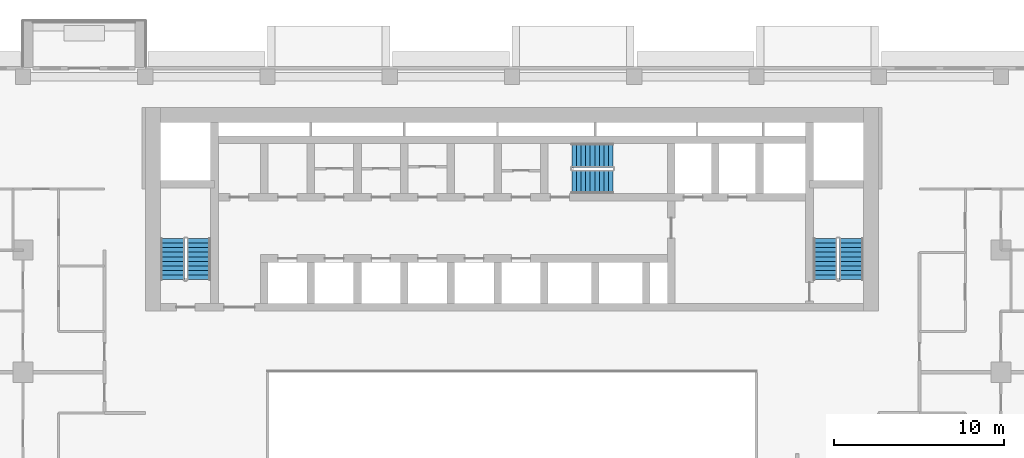
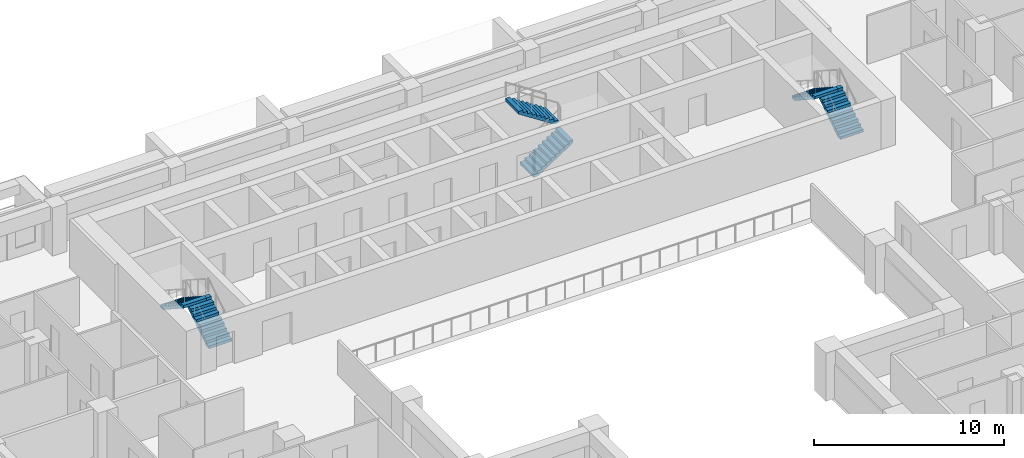
# One storey, part 13 of 17: 6 stair flights, 3 elements without a shape of their own.
"""IFC4 building model written with IfcOpenShell, lengths in metres."""

from ifc_helpers import new_model, si_unit, direction, frame, origin, place, context, subcontext, project, spatial, polyline, outline, extrude, material, layer, layer_set, type_object, element, aggregate, save


model = new_model("IFC4")

# Units and contexts
model_context = context("Model", 3, precision=1e-05, world=origin(), true_north=direction((0.0, 1.0)))
body_context = subcontext(model_context, "Body", "Model", "MODEL_VIEW")
ifc_project = project(units=[si_unit("LENGTHUNIT", "METRE"), si_unit("AREAUNIT", "SQUARE_METRE"), si_unit("VOLUMEUNIT", "CUBIC_METRE"), si_unit("PLANEANGLEUNIT", "RADIAN"), si_unit("MASSUNIT", "GRAM", prefix="KILO")], contexts=[model_context])

# Site, building, storey
site_placement = place(None, origin())
site = spatial("IfcSite", under=ifc_project, at=site_placement, CompositionType="ELEMENT")
building_placement = place(site_placement, origin())
building = spatial("IfcBuilding", under=site, at=building_placement, Name="Saffron Iwan Residences", CompositionType="ELEMENT")
storey_placement = place(building_placement, frame((0.0, 0.0, 104.0)))
storey = spatial("IfcBuildingStorey", under=building, at=storey_placement, Name="L27", CompositionType="ELEMENT", Elevation=104.0)

# Stair, stair flights
ifc_material = material(Name="Concrete C50/60", Category="concrete")
stair_type = type_object("IfcStairType", Name="Stair ST-CORE", PredefinedType="HALF_TURN_STAIR", material=ifc_material)
stair_1_placement = place(storey_placement, origin())
stair_1 = element("IfcStair", 1, at=stair_1_placement, inside=storey, type_object=stair_type, Name="L27 Exit Stair ST-W", PredefinedType="HALF_TURN_STAIR")
ifc_layer = layer(ifc_material, 0.14990234375)
ifc_layer_set = layer_set([ifc_layer], Name="Concrete C50/60")
stair_flight_type = type_object("IfcStairFlightType", Name="Stair flight SFL-RC", PredefinedType="STRAIGHT", material=ifc_layer_set)
stair_flight_1_placement = place(storey_placement, frame((31.949951171875, 67.85009765625, 0.0), z_axis=(0.0, 0.0, 1.0), x_axis=(0.0, 1.0, 0.0)))
stair_flight_1 = element("IfcStairFlight", 2, at=stair_flight_1_placement, type_object=stair_flight_type, Name="ST-W flight 1", NumberOfRisers=10, NumberOfTreads=9, PredefinedType="STRAIGHT", RiserHeight=0.175, TreadLength=0.27, context=body_context, shape_type="SweptSolid", body=[
    extrude(outline(polyline([(0.0, 0.0), (0.0, 0.175048828125), (0.27001953125, 0.175048828125), (0.27001953125, 0.35009765625), (0.5400390625, 0.35009765625), (0.5400390625, 0.52490234375), (0.81005859375, 0.52490234375), (0.81005859375, 0.699951171875), (1.080078125, 0.699951171875), (1.080078125, 0.875), (1.35009765625, 0.875), (1.35009765625, 1.050048828125), (1.6201171875, 1.050048828125), (1.6201171875, 1.22509765625), (1.889892578125, 1.22509765625), (1.889892578125, 1.39990234375), (2.159912109375, 1.39990234375), (2.159912109375, 1.574951171875), (2.429931640625, 1.574951171875), (2.429931640625, 1.75), (2.429931640625, 1.396484375), (0.275634765625, 0.0), (0.0, 0.0)])), frame((0.0, 0.699951171875, 0.0), z_axis=(0.0, -1.0, 0.0), x_axis=(1.0, 0.0, 0.0)), (0.0, 0.0, 1.0), 1.39990234375),
])
stair_flight_2_placement = place(storey_placement, frame((30.39990234375, 70.280029296875, 1.75), z_axis=(0.0, 0.0, 1.0), x_axis=(0.0, -1.0, 0.0)))
stair_flight_2 = element("IfcStairFlight", 3, at=stair_flight_2_placement, type_object=stair_flight_type, Name="ST-W flight 2", NumberOfRisers=10, NumberOfTreads=9, PredefinedType="STRAIGHT", RiserHeight=0.175, TreadLength=0.27, context=body_context, shape_type="SweptSolid", body=[
    extrude(outline(polyline([(0.0, 0.0), (0.0, 0.175048828125), (0.27001953125, 0.175048828125), (0.27001953125, 0.35009765625), (0.5400390625, 0.35009765625), (0.5400390625, 0.52490234375), (0.81005859375, 0.52490234375), (0.81005859375, 0.699951171875), (1.080078125, 0.699951171875), (1.080078125, 0.875), (1.35009765625, 0.875), (1.35009765625, 1.050048828125), (1.6201171875, 1.050048828125), (1.6201171875, 1.22509765625), (1.889892578125, 1.22509765625), (1.889892578125, 1.39990234375), (2.159912109375, 1.39990234375), (2.159912109375, 1.574951171875), (2.429931640625, 1.574951171875), (2.429931640625, 1.75), (2.429931640625, 1.396484375), (0.275634765625, 0.0), (0.0, 0.0)])), frame((0.0, 0.699951171875, 0.0), z_axis=(0.0, -1.0, 0.0), x_axis=(1.0, 0.0, 0.0)), (0.0, 0.0, 1.0), 1.39990234375),
])
aggregate(stair_1, [stair_flight_1, stair_flight_2])

stair_2_placement = place(storey_placement, origin())
stair_2 = element("IfcStair", 4, at=stair_2_placement, inside=storey, type_object=stair_type, Name="L27 Exit Stair ST-C", PredefinedType="HALF_TURN_STAIR")
stair_flight_3_placement = place(storey_placement, frame((53.925048828125, 73.625, 0.0), z_axis=(0.0, 0.0, 1.0), x_axis=(1.0, 0.0, 0.0)))
stair_flight_3 = element("IfcStairFlight", 5, at=stair_flight_3_placement, type_object=stair_flight_type, Name="ST-C flight 1", NumberOfRisers=10, NumberOfTreads=9, PredefinedType="STRAIGHT", RiserHeight=0.175, TreadLength=0.27, context=body_context, shape_type="SweptSolid", body=[
    extrude(outline(polyline([(0.0, 0.0), (0.0, 0.175048828125), (0.27001953125, 0.175048828125), (0.27001953125, 0.35009765625), (0.5400390625, 0.35009765625), (0.5400390625, 0.52490234375), (0.81005859375, 0.52490234375), (0.81005859375, 0.699951171875), (1.080078125, 0.699951171875), (1.080078125, 0.875), (1.35009765625, 0.875), (1.35009765625, 1.050048828125), (1.6201171875, 1.050048828125), (1.6201171875, 1.22509765625), (1.889892578125, 1.22509765625), (1.889892578125, 1.39990234375), (2.159912109375, 1.39990234375), (2.159912109375, 1.574951171875), (2.429931640625, 1.574951171875), (2.429931640625, 1.75), (2.429931640625, 1.396484375), (0.275634765625, 0.0), (0.0, 0.0)])), frame((0.0, 0.699951171875, 0.0), z_axis=(0.0, -1.0, 0.0), x_axis=(1.0, 0.0, 0.0)), (0.0, 0.0, 1.0), 1.39990234375),
])
stair_flight_4_placement = place(storey_placement, frame((56.35498046875, 75.175048828125, 1.75), z_axis=(0.0, 0.0, 1.0), x_axis=(-1.0, 0.0, 0.0)))
stair_flight_4 = element("IfcStairFlight", 6, at=stair_flight_4_placement, type_object=stair_flight_type, Name="ST-C flight 2", NumberOfRisers=10, NumberOfTreads=9, PredefinedType="STRAIGHT", RiserHeight=0.175, TreadLength=0.27, context=body_context, shape_type="SweptSolid", body=[
    extrude(outline(polyline([(0.0, 0.0), (0.0, 0.175048828125), (0.27001953125, 0.175048828125), (0.27001953125, 0.35009765625), (0.5400390625, 0.35009765625), (0.5400390625, 0.52490234375), (0.81005859375, 0.52490234375), (0.81005859375, 0.699951171875), (1.080078125, 0.699951171875), (1.080078125, 0.875), (1.35009765625, 0.875), (1.35009765625, 1.050048828125), (1.6201171875, 1.050048828125), (1.6201171875, 1.22509765625), (1.889892578125, 1.22509765625), (1.889892578125, 1.39990234375), (2.159912109375, 1.39990234375), (2.159912109375, 1.574951171875), (2.429931640625, 1.574951171875), (2.429931640625, 1.75), (2.429931640625, 1.396484375), (0.275634765625, 0.0), (0.0, 0.0)])), frame((0.0, 0.699951171875, 0.0), z_axis=(0.0, -1.0, 0.0), x_axis=(1.0, 0.0, 0.0)), (0.0, 0.0, 1.0), 1.39990234375),
])
aggregate(stair_2, [stair_flight_3, stair_flight_4])

stair_3_placement = place(storey_placement, origin())
stair_3 = element("IfcStair", 7, at=stair_3_placement, inside=storey, type_object=stair_type, Name="L27 Exit Stair ST-E", PredefinedType="HALF_TURN_STAIR")
stair_flight_5_placement = place(storey_placement, frame((70.39990234375, 67.85009765625, 0.0), z_axis=(0.0, 0.0, 1.0), x_axis=(0.0, 1.0, 0.0)))
stair_flight_5 = element("IfcStairFlight", 8, at=stair_flight_5_placement, type_object=stair_flight_type, Name="ST-E flight 1", NumberOfRisers=10, NumberOfTreads=9, PredefinedType="STRAIGHT", RiserHeight=0.175, TreadLength=0.27, context=body_context, shape_type="SweptSolid", body=[
    extrude(outline(polyline([(0.0, 0.0), (0.0, 0.175048828125), (0.27001953125, 0.175048828125), (0.27001953125, 0.35009765625), (0.5400390625, 0.35009765625), (0.5400390625, 0.52490234375), (0.81005859375, 0.52490234375), (0.81005859375, 0.699951171875), (1.080078125, 0.699951171875), (1.080078125, 0.875), (1.35009765625, 0.875), (1.35009765625, 1.050048828125), (1.6201171875, 1.050048828125), (1.6201171875, 1.22509765625), (1.889892578125, 1.22509765625), (1.889892578125, 1.39990234375), (2.159912109375, 1.39990234375), (2.159912109375, 1.574951171875), (2.429931640625, 1.574951171875), (2.429931640625, 1.75), (2.429931640625, 1.396484375), (0.275634765625, 0.0), (0.0, 0.0)])), frame((0.0, 0.699951171875, 0.0), z_axis=(0.0, -1.0, 0.0), x_axis=(1.0, 0.0, 0.0)), (0.0, 0.0, 1.0), 1.39990234375),
])
stair_flight_6_placement = place(storey_placement, frame((68.85009765625, 70.280029296875, 1.75), z_axis=(0.0, 0.0, 1.0), x_axis=(0.0, -1.0, 0.0)))
stair_flight_6 = element("IfcStairFlight", 9, at=stair_flight_6_placement, type_object=stair_flight_type, Name="ST-E flight 2", NumberOfRisers=10, NumberOfTreads=9, PredefinedType="STRAIGHT", RiserHeight=0.175, TreadLength=0.27, context=body_context, shape_type="SweptSolid", body=[
    extrude(outline(polyline([(0.0, 0.0), (0.0, 0.175048828125), (0.27001953125, 0.175048828125), (0.27001953125, 0.35009765625), (0.5400390625, 0.35009765625), (0.5400390625, 0.52490234375), (0.81005859375, 0.52490234375), (0.81005859375, 0.699951171875), (1.080078125, 0.699951171875), (1.080078125, 0.875), (1.35009765625, 0.875), (1.35009765625, 1.050048828125), (1.6201171875, 1.050048828125), (1.6201171875, 1.22509765625), (1.889892578125, 1.22509765625), (1.889892578125, 1.39990234375), (2.159912109375, 1.39990234375), (2.159912109375, 1.574951171875), (2.429931640625, 1.574951171875), (2.429931640625, 1.75), (2.429931640625, 1.396484375), (0.275634765625, 0.0), (0.0, 0.0)])), frame((0.0, 0.699951171875, 0.0), z_axis=(0.0, -1.0, 0.0), x_axis=(1.0, 0.0, 0.0)), (0.0, 0.0, 1.0), 1.39990234375),
])
aggregate(stair_3, [stair_flight_5, stair_flight_6])

save(model, "model.ifc")
